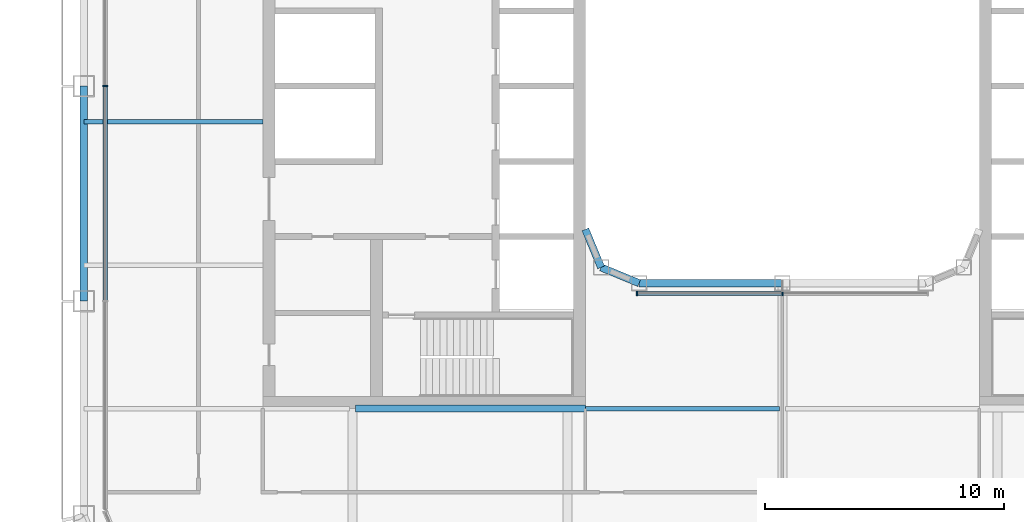
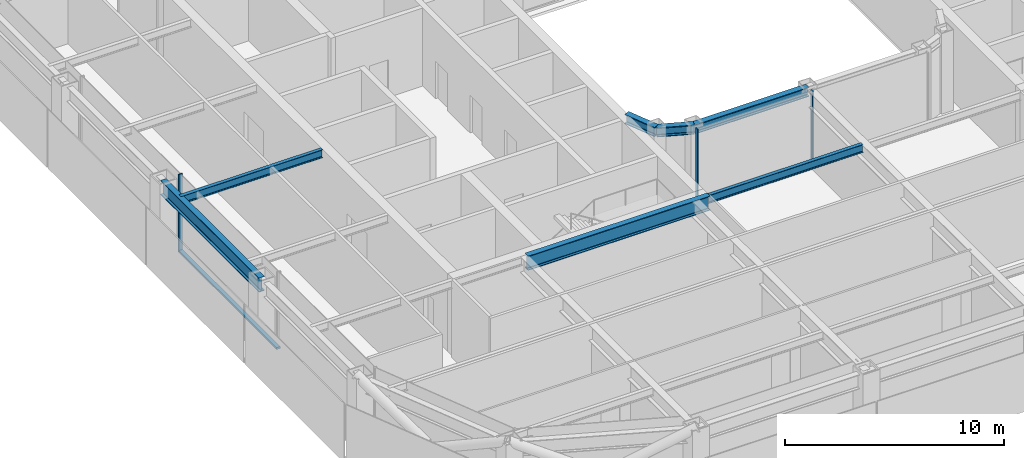
# One storey, part 3 of 23: 7 beams, 5 members, 2 elements without a shape of their own.
"""IFC4 building model written with IfcOpenShell, lengths in metres."""

from ifc_helpers import new_model, si_unit, direction, frame, origin, origin_2d, place, context, subcontext, project, spatial, rectangle, i_section, extrude, material, layer, layer_set, material_profile, profile_set, type_object, element, aggregate, save


model = new_model("IFC4")

# Units and contexts
model_context = context("Model", 3, precision=1e-05, world=origin(), true_north=direction((0.0, 1.0)))
body_context = subcontext(model_context, "Body", "Model", "MODEL_VIEW")
ifc_project = project(units=[si_unit("LENGTHUNIT", "METRE"), si_unit("AREAUNIT", "SQUARE_METRE"), si_unit("VOLUMEUNIT", "CUBIC_METRE"), si_unit("PLANEANGLEUNIT", "RADIAN"), si_unit("MASSUNIT", "GRAM", prefix="KILO")], contexts=[model_context])

# Site, building, storey
site_placement = place(None, origin())
site = spatial("IfcSite", under=ifc_project, at=site_placement, CompositionType="ELEMENT")
building_placement = place(site_placement, origin())
building = spatial("IfcBuilding", under=site, at=building_placement, Name="Siwar Civic Tower", CompositionType="ELEMENT")
storey_placement = place(building_placement, frame((0.0, 0.0, 154.199951171875)))
storey = spatial("IfcBuildingStorey", under=building, at=storey_placement, Name="L33", CompositionType="ELEMENT", Elevation=154.199951171875)

# Curtain wall, member
ifc_material_1 = material(Name="Aluminium and glass", Category="aluminium")
ifc_layer_1 = layer(ifc_material_1, 0.199951171875)
ifc_layer_set_1 = layer_set([ifc_layer_1], Name="Aluminium and glass")
curtain_wall_type_1 = type_object("IfcCurtainWallType", Name="ENV-CW-B", PredefinedType="NOTDEFINED", material=ifc_layer_set_1)
curtain_wall_1_placement = place(storey_placement, origin())
curtain_wall_1 = element("IfcCurtainWall", 1, at=curtain_wall_1_placement, inside=storey, type_object=curtain_wall_type_1, Name="Curtain wall B W", PredefinedType="NOTDEFINED")
ifc_material_2 = material(Name="Aluminium 6063-T6", Category="aluminium")
ifc_material_profile_1 = material_profile(ifc_material_2, rectangle(XDim=0.199951171875, YDim=0.06494140625, at=origin_2d()), Name="AL 200x65")
ifc_profile_set_1 = profile_set([ifc_material_profile_1], Name="Aluminium 6063-T6")
member_type_1 = type_object("IfcMemberType", Name="ENV-MULLION-B", PredefinedType="MULLION", material=ifc_profile_set_1)
member_1_placement = place(storey_placement, frame((-28.35009765625, 0.0, 0.0), z_axis=(0.0, 0.0, 1.0), x_axis=(1.0, 0.0, 0.0)))
member_1 = element("IfcMember", 2, at=member_1_placement, type_object=member_type_1, Name="Mullion B W 3", PredefinedType="MULLION", context=body_context, shape_type="SweptSolid", body=[
    extrude(rectangle(XDim=0.199951171875, YDim=0.06494140625, at=origin_2d()), origin(), (0.0, 0.0, 1.0), 4.35009765625),
])

# Curtain wall, members
ifc_material_3 = material(Name="Aluminium and glass", Category="aluminium")
ifc_layer_2 = layer(ifc_material_3, 0.179931640625)
ifc_layer_set_2 = layer_set([ifc_layer_2], Name="Aluminium and glass")
curtain_wall_type_2 = type_object("IfcCurtainWallType", Name="ENV-CW-W", PredefinedType="NOTDEFINED", material=ifc_layer_set_2)
curtain_wall_2_placement = place(storey_placement, origin())
curtain_wall_2 = element("IfcCurtainWall", 3, at=curtain_wall_2_placement, inside=storey, type_object=curtain_wall_type_2, Name="Curtain wall W WS", PredefinedType="NOTDEFINED")
ifc_material_4 = material(Name="Aluminium 6063-T6", Category="aluminium")
ifc_material_profile_2 = material_profile(ifc_material_4, rectangle(XDim=0.179931640625, YDim=0.06005859375, at=origin_2d()), Name="AL 180x60")
ifc_profile_set_2 = profile_set([ifc_material_profile_2], Name="Aluminium 6063-T6")
member_type_2 = type_object("IfcMemberType", Name="ENV-MULLION-W", PredefinedType="MULLION", material=ifc_profile_set_2)
member_2_placement = place(storey_placement, frame((-6.08642578125, -8.68505859375, 0.0), z_axis=(0.0, 0.0, 1.0), x_axis=(0.0, 1.0, 0.0)))
member_2 = element("IfcMember", 4, at=member_2_placement, type_object=member_type_2, Name="Mullion W WS 1", PredefinedType="MULLION", context=body_context, shape_type="SweptSolid", body=[
    extrude(rectangle(XDim=0.179931640625, YDim=0.06005859375, at=origin_2d()), origin(), (0.0, 0.0, 1.0), 4.35009765625),
])
member_3_placement = place(storey_placement, frame((0.0, -8.68505859375, 0.0), z_axis=(0.0, 0.0, 1.0), x_axis=(0.0, 1.0, 0.0)))
member_3 = element("IfcMember", 5, at=member_3_placement, type_object=member_type_2, Name="Mullion W WS 2", PredefinedType="MULLION", context=body_context, shape_type="SweptSolid", body=[
    extrude(rectangle(XDim=0.179931640625, YDim=0.06005859375, at=origin_2d()), origin(), (0.0, 0.0, 1.0), 4.35009765625),
])

# Member
ifc_material_5 = material(Name="Aluminium 6063-T6", Category="aluminium")
ifc_material_profile_3 = material_profile(ifc_material_5, rectangle(XDim=0.199951171875, YDim=0.110107421875, at=origin_2d()), Name="AL 200x110")
ifc_profile_set_3 = profile_set([ifc_material_profile_3], Name="Aluminium 6063-T6")
member_type_3 = type_object("IfcMemberType", Name="ENV-TRANSOM-B", PredefinedType="USERDEFINED", material=ifc_profile_set_3)
member_4_placement = place(storey_placement, frame((-28.35009765625, -0.032470703125, 0.054931640625), z_axis=(0.0, -1.0, 0.0), x_axis=(1.0, 0.0, 0.0)))
member_4 = element("IfcMember", 6, at=member_4_placement, type_object=member_type_3, Name="Transom B W 3", ObjectType="TRANSOM", PredefinedType="USERDEFINED", context=body_context, shape_type="SweptSolid", body=[
    extrude(rectangle(XDim=0.199951171875, YDim=0.110107421875, at=origin_2d()), origin(), (0.0, 0.0, 1.0), 8.93505859375),
])

aggregate(curtain_wall_1, [member_1, member_4])

ifc_material_6 = material(Name="Aluminium 6063-T6", Category="aluminium")
ifc_material_profile_4 = material_profile(ifc_material_6, rectangle(XDim=0.179931640625, YDim=0.10009765625, at=origin_2d()), Name="AL 180x100")
ifc_profile_set_4 = profile_set([ifc_material_profile_4], Name="Aluminium 6063-T6")
member_type_4 = type_object("IfcMemberType", Name="ENV-TRANSOM-W", PredefinedType="USERDEFINED", material=ifc_profile_set_4)
member_5_placement = place(storey_placement, frame((-6.056640625, -8.68505859375, 0.050048828125), z_axis=(1.0, 0.0, 0.0), x_axis=(0.0, 1.0, 0.0)))
member_5 = element("IfcMember", 7, at=member_5_placement, type_object=member_type_4, Name="Transom W WS 1", ObjectType="TRANSOM", PredefinedType="USERDEFINED", context=body_context, shape_type="SweptSolid", body=[
    extrude(rectangle(XDim=0.179931640625, YDim=0.10009765625, at=origin_2d()), origin(), (0.0, 0.0, 1.0), 6.026611328125),
])

aggregate(curtain_wall_2, [member_2, member_3, member_5])

# Beams
ifc_material_7 = material(Name="Steel S355", Category="steel")
ifc_material_profile_5 = material_profile(ifc_material_7, i_section(OverallWidth=0.18994140625, OverallDepth=0.449951171875, WebThickness=0.009521484375, FlangeThickness=0.0146484375, FilletRadius=0.02099609375, at=origin_2d()), Name="IPE450")
ifc_profile_set_5 = profile_set([ifc_material_profile_5], Name="Steel S355")
beam_type_1 = type_object("IfcBeamType", Name="STR-FB-IPE450", PredefinedType="JOIST", material=ifc_profile_set_5)
beam_1_placement = place(storey_placement, frame((-8.25, -13.5, 4.125), z_axis=(1.0, 0.0, 0.0), x_axis=(0.0, 1.0, 0.0)))
element("IfcBeam", 8, at=beam_1_placement, inside=storey, type_object=beam_type_1, Name="L33/bm/F016", PredefinedType="JOIST", context=body_context, shape_type="SweptSolid", body=[
    extrude(i_section(OverallWidth=0.18994140625, OverallDepth=0.449951171875, WebThickness=0.009521484375, FlangeThickness=0.0146484375, FilletRadius=0.02099609375, at=origin_2d()), origin(), (0.0, 0.0, 1.0), 8.1201171875),
])
beam_2_placement = place(storey_placement, frame((-29.25, -1.5, 4.125), z_axis=(1.0, 0.0, 0.0), x_axis=(0.0, 1.0, 0.0)))
element("IfcBeam", 9, at=beam_2_placement, inside=storey, type_object=beam_type_1, Name="L33/bm/F023", PredefinedType="JOIST", context=body_context, shape_type="SweptSolid", body=[
    extrude(i_section(OverallWidth=0.18994140625, OverallDepth=0.449951171875, WebThickness=0.009521484375, FlangeThickness=0.0146484375, FilletRadius=0.02099609375, at=origin_2d()), origin(), (0.0, 0.0, 1.0), 7.5),
])
ifc_material_8 = material(Name="Steel S355", Category="steel")
ifc_material_profile_6 = material_profile(ifc_material_8, i_section(OverallWidth=0.300048828125, OverallDepth=0.800048828125, WebThickness=0.017578125, FlangeThickness=0.032958984375, FilletRadius=0.030029296875, at=origin_2d()), Name="HEB800")
ifc_profile_set_6 = profile_set([ifc_material_profile_6], Name="Steel S355")
beam_type_2 = type_object("IfcBeamType", Name="STR-PG-HEB800", PredefinedType="BEAM", material=ifc_profile_set_6)
beam_3_placement = place(storey_placement, frame((-17.8701171875, -13.5, 3.949951171875), z_axis=(1.0, 0.0, 0.0), x_axis=(0.0, 1.0, 0.0)))
element("IfcBeam", 10, at=beam_3_placement, inside=storey, type_object=beam_type_2, Name="L33/bm/F015", PredefinedType="BEAM", context=body_context, shape_type="SweptSolid", body=[
    extrude(i_section(OverallWidth=0.300048828125, OverallDepth=0.800048828125, WebThickness=0.017578125, FlangeThickness=0.032958984375, FilletRadius=0.030029296875, at=origin_2d()), origin(), (0.0, 0.0, 1.0), 9.6201171875),
])
ifc_material_9 = material(Name="Steel S355", Category="steel")
ifc_material_profile_7 = material_profile(ifc_material_9, i_section(OverallWidth=0.305908203125, OverallDepth=0.52392578125, WebThickness=0.02099609375, FlangeThickness=0.0400390625, FilletRadius=0.027099609375, at=origin_2d()), Name="HEM500")
ifc_profile_set_7 = profile_set([ifc_material_profile_7], Name="Steel S355")
beam_type_3 = type_object("IfcBeamType", Name="STR-RB-HEM500", PredefinedType="BEAM", material=ifc_profile_set_7)
beam_4_placement = place(storey_placement, frame((-7.591064453125, -7.591064453125, 4.088134765625), z_axis=(0.923901072997, -0.382631424892, 0.0), x_axis=(0.382631424892, 0.923901072997, 0.0)))
element("IfcBeam", 11, at=beam_4_placement, inside=storey, type_object=beam_type_3, Name="L33/bm/RS0", PredefinedType="BEAM", context=body_context, shape_type="SweptSolid", body=[
    extrude(i_section(OverallWidth=0.305908203125, OverallDepth=0.52392578125, WebThickness=0.02099609375, FlangeThickness=0.0400390625, FilletRadius=0.027099609375, at=origin_2d()), origin(), (0.0, 0.0, 1.0), 1.72216796875),
])
beam_5_placement = place(storey_placement, frame((-6.0, -8.25, 4.088134765625), z_axis=(1.0, 0.0, 0.0), x_axis=(0.0, 1.0, 0.0)))
element("IfcBeam", 12, at=beam_5_placement, inside=storey, type_object=beam_type_3, Name="L33/bm/RS1", PredefinedType="BEAM", context=body_context, shape_type="SweptSolid", body=[
    extrude(i_section(OverallWidth=0.305908203125, OverallDepth=0.52392578125, WebThickness=0.02099609375, FlangeThickness=0.0400390625, FilletRadius=0.027099609375, at=origin_2d()), origin(), (0.0, 0.0, 1.0), 6.0),
])
beam_6_placement = place(storey_placement, frame((-7.591064453125, -7.591064453125, 4.088134765625), z_axis=(-0.382631424892, 0.923901072997, 0.0), x_axis=(-0.923901072997, -0.382631424892, 0.0)))
element("IfcBeam", 13, at=beam_6_placement, inside=storey, type_object=beam_type_3, Name="L33/bm/RSEW", PredefinedType="BEAM", context=body_context, shape_type="SweptSolid", body=[
    extrude(i_section(OverallWidth=0.305908203125, OverallDepth=0.52392578125, WebThickness=0.02099609375, FlangeThickness=0.0400390625, FilletRadius=0.027099609375, at=origin_2d()), origin(), (0.0, 0.0, 1.0), 1.72216796875),
])
ifc_material_10 = material(Name="Steel S355", Category="steel")
ifc_material_profile_8 = material_profile(ifc_material_10, i_section(OverallWidth=0.300048828125, OverallDepth=0.800048828125, WebThickness=0.017578125, FlangeThickness=0.032958984375, FilletRadius=0.030029296875, at=origin_2d()), Name="HEB800")
ifc_profile_set_8 = profile_set([ifc_material_profile_8], Name="Steel S355")
beam_type_4 = type_object("IfcBeamType", Name="STR-SB-HEB800", PredefinedType="BEAM", material=ifc_profile_set_8)
beam_7_placement = place(storey_placement, frame((-29.25, 0.0, 3.949951171875), z_axis=(0.0, -1.0, 0.0), x_axis=(1.0, 0.0, 0.0)))
element("IfcBeam", 14, at=beam_7_placement, inside=storey, type_object=beam_type_4, Name="L33/bm/SW-2", PredefinedType="BEAM", context=body_context, shape_type="SweptSolid", body=[
    extrude(i_section(OverallWidth=0.300048828125, OverallDepth=0.800048828125, WebThickness=0.017578125, FlangeThickness=0.032958984375, FilletRadius=0.030029296875, at=origin_2d()), origin(), (0.0, 0.0, 1.0), 9.0),
])

save(model, "model.ifc")
